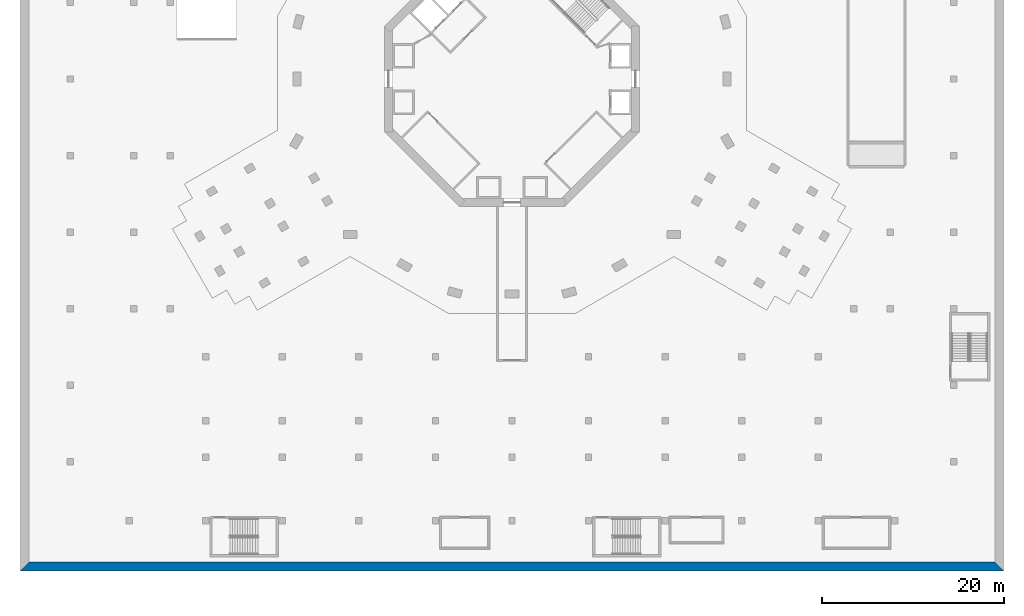
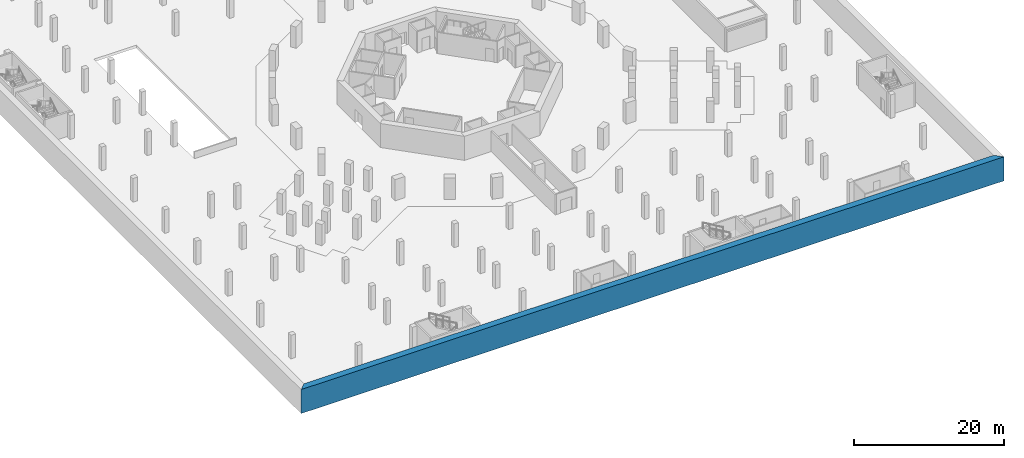
# One storey, part 4 of 25: 1 wall.
"""IFC4 building model written with IfcOpenShell, lengths in metres."""

from ifc_helpers import new_model, si_unit, direction, frame, origin, place, context, subcontext, project, spatial, polyline, outline, extrude, material, layer, layer_set, type_object, element, save


model = new_model("IFC4")

# Units and contexts
model_context = context("Model", 3, precision=1e-05, world=origin(), true_north=direction((0.0, 1.0)))
body_context = subcontext(model_context, "Body", "Model", "MODEL_VIEW")
ifc_project = project(units=[si_unit("LENGTHUNIT", "METRE"), si_unit("AREAUNIT", "SQUARE_METRE"), si_unit("VOLUMEUNIT", "CUBIC_METRE"), si_unit("PLANEANGLEUNIT", "RADIAN"), si_unit("MASSUNIT", "GRAM", prefix="KILO")], contexts=[model_context])

# Site, building, storey
site_placement = place(None, origin())
site = spatial("IfcSite", under=ifc_project, at=site_placement, CompositionType="ELEMENT")
building_placement = place(site_placement, origin())
building = spatial("IfcBuilding", under=site, at=building_placement, Name="Verdalira Terraces Hotel", CompositionType="ELEMENT")
storey_placement = place(building_placement, frame((0.0, 0.0, -3.899902)))
storey = spatial("IfcBuildingStorey", under=building, at=storey_placement, Name="B1", CompositionType="ELEMENT", Elevation=-3.89990234375)

# Wall
ifc_material = material(Name="Concrete C40", Category="concrete")
ifc_layer = layer(ifc_material, 1.0)
ifc_layer_set = layer_set([ifc_layer], Name="Retaining wall 1000 C40")
wall_type = type_object("IfcWallType", Name="Retaining wall 1000 C40", PredefinedType="SOLIDWALL", material=ifc_layer_set)
wall_placement = place(storey_placement, origin())
element("IfcWall", 1, at=wall_placement, inside=storey, type_object=wall_type, Name="Retaining wall B1 side 3", PredefinedType="SOLIDWALL", context=body_context, shape_type="SweptSolid", body=[
    extrude(outline(polyline([(-54.0, -54.0), (54.0, -54.0), (53.0, -53.0), (-53.0, -53.0), (-54.0, -54.0)])), origin(), (0.0, 0.0, 1.0), 3.899902),
])

save(model, "model.ifc")
